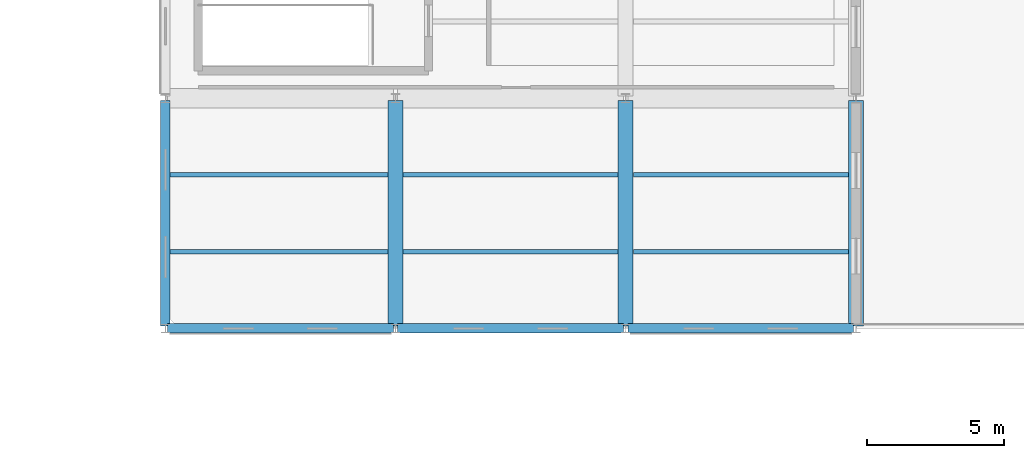
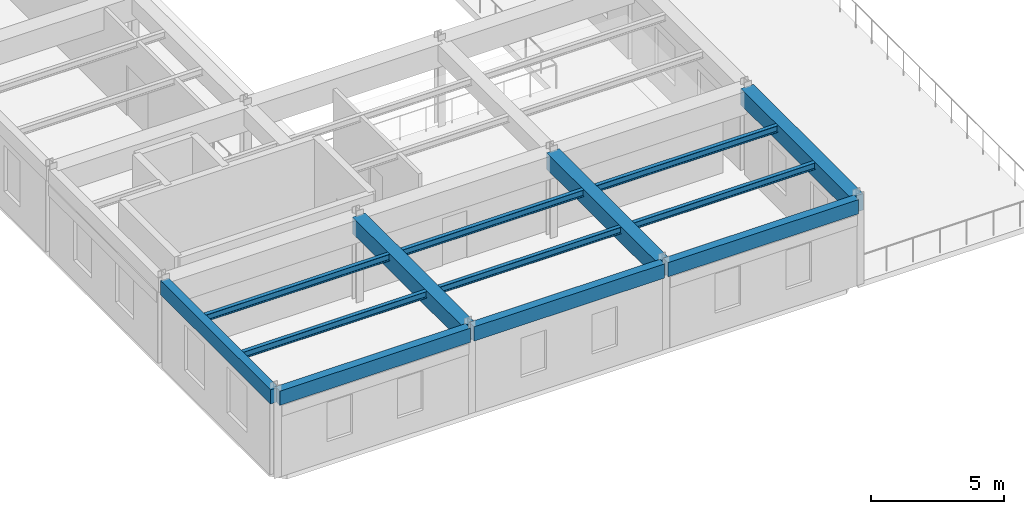
# One storey, part 72 of 114: 13 beams.
"""IFC4 building model written with IfcOpenShell, lengths in metres."""

from ifc_helpers import new_model, si_unit, direction, frame, origin, origin_2d, place, context, subcontext, project, spatial, rectangle, i_section, extrude, material, material_profile, profile_set, type_object, element, save


model = new_model("IFC4")

# Units and contexts
model_context = context("Model", 3, precision=1e-05, world=origin(), true_north=direction((0.0, 1.0)))
body_context = subcontext(model_context, "Body", "Model", "MODEL_VIEW")
ifc_project = project(units=[si_unit("LENGTHUNIT", "METRE"), si_unit("AREAUNIT", "SQUARE_METRE"), si_unit("VOLUMEUNIT", "CUBIC_METRE"), si_unit("PLANEANGLEUNIT", "RADIAN"), si_unit("MASSUNIT", "GRAM", prefix="KILO"), si_unit("THERMODYNAMICTEMPERATUREUNIT", "KELVIN"), si_unit("POWERUNIT", "WATT")], contexts=[model_context])

# Site, building, storey
site_placement = place(None, origin())
site = spatial("IfcSite", under=ifc_project, at=site_placement, CompositionType="ELEMENT")
building_placement = place(site_placement, origin())
building = spatial("IfcBuilding", under=site, at=building_placement, Name="Darbajah Civic Hall", CompositionType="ELEMENT")
storey_placement = place(building_placement, frame((0.0, 0.0, 13.800048828125)))
storey = spatial("IfcBuildingStorey", under=building, at=storey_placement, Name="L03", CompositionType="ELEMENT", Elevation=13.800048828125)

# Beams
ifc_material_1 = material(Name="Concrete C45/55", Category="concrete")
ifc_material_profile_1 = material_profile(ifc_material_1, rectangle(XDim=0.550048828125, YDim=0.75, at=origin_2d()), Name="RC BEAM 550x750")
ifc_profile_set_1 = profile_set([ifc_material_profile_1], Name="Concrete C45/55")
beam_type_1 = type_object("IfcBeamType", Name="RC BEAM 550x750", PredefinedType="BEAM", material=ifc_profile_set_1)
for number, where, z_axis, x_axis, name in (
    (1, (153.0, 56.47998046875, 3.554931640625), (0.0, 1.0, 0.0), (-1.0, 0.0, 0.0), "L03 beam BM-5575"),
    (2, (161.39990234375, 56.47998046875, 3.554931640625), (0.0, 1.0, 0.0), (-1.0, 0.0, 0.0), "L03 beam BM-5575"),
    (3, (169.800048828125, 56.47998046875, 3.554931640625), (0.0, 1.0, 0.0), (-1.0, 0.0, 0.0), "L03 beam BM-5575"),
):
    element("IfcBeam", number, at=place(storey_placement, frame(where, z_axis=z_axis, x_axis=x_axis)), inside=storey, type_object=beam_type_1, Name=name, PredefinedType="BEAM", context=body_context, shape_type="SweptSolid", body=[
        extrude(rectangle(XDim=0.550048828125, YDim=0.75, at=origin_2d()), origin(), (0.0, 0.0, 1.0), 8.239990234375),
    ])
ifc_material_profile_2 = material_profile(ifc_material_1, rectangle(XDim=0.35009765625, YDim=0.64990234375, at=origin_2d()), Name="RC SPANDREL 350x650")
ifc_profile_set_2 = profile_set([ifc_material_profile_2], Name="Concrete C45/55")
beam_type_2 = type_object("IfcBeamType", Name="RC SPANDREL 350x650", PredefinedType="SPANDREL", material=ifc_profile_set_2)
for number, where, z_axis, x_axis, name in (
    (4, (144.679931640625, 56.39990234375, 3.60498046875), (1.0, 0.0, 0.0), (0.0, 1.0, 0.0), "L03 beam SP-3565"),
    (5, (153.080078125, 56.39990234375, 3.60498046875), (1.0, 0.0, 0.0), (0.0, 1.0, 0.0), "L03 beam SP-3565"),
    (6, (161.47998046875, 56.39990234375, 3.60498046875), (1.0, 0.0, 0.0), (0.0, 1.0, 0.0), "L03 beam SP-3565"),
    (7, (144.60009765625, 56.47998046875, 3.60498046875), (0.0, 1.0, 0.0), (-1.0, 0.0, 0.0), "L03 beam SP-3565"),
):
    element("IfcBeam", number, at=place(storey_placement, frame(where, z_axis=z_axis, x_axis=x_axis)), inside=storey, type_object=beam_type_2, Name=name, PredefinedType="SPANDREL", context=body_context, shape_type="SweptSolid", body=[
        extrude(rectangle(XDim=0.35009765625, YDim=0.64990234375, at=origin_2d()), origin(), (0.0, 0.0, 1.0), 8.239990234375),
    ])
ifc_material_2 = material(Name="Steel S355JR", Category="steel")
ifc_material_profile_3 = material_profile(ifc_material_2, i_section(OverallWidth=0.165771484375, OverallDepth=0.306640625, WebThickness=0.006591796875, FlangeThickness=0.01171875, FilletRadius=0.0087890625, at=origin_2d()), Name="UB 305x165x46")
ifc_profile_set_3 = profile_set([ifc_material_profile_3], Name="Steel S355JR")
beam_type_3 = type_object("IfcBeamType", Name="UB 305x165x46", PredefinedType="JOIST", material=ifc_profile_set_3)
for number, where, z_axis, x_axis, name in (
    (8, (144.77490234375, 59.199951171875, 3.776611328125), (1.0, 0.0, 0.0), (0.0, 1.0, 0.0), "L03 beam SJ-305"),
    (9, (144.77490234375, 62.0, 3.776611328125), (1.0, 0.0, 0.0), (0.0, 1.0, 0.0), "L03 beam SJ-305"),
):
    element("IfcBeam", number, at=place(storey_placement, frame(where, z_axis=z_axis, x_axis=x_axis)), inside=storey, type_object=beam_type_3, Name=name, PredefinedType="JOIST", context=body_context, shape_type="SweptSolid", body=[
        extrude(i_section(OverallWidth=0.165771484375, OverallDepth=0.306640625, WebThickness=0.006591796875, FlangeThickness=0.01171875, FilletRadius=0.0087890625, at=origin_2d()), origin(), (0.0, 0.0, 1.0), 7.9501953125),
    ])
for number, where, z_axis, x_axis, name in (
    (10, (153.27490234375, 59.199951171875, 3.776611328125), (1.0, 0.0, 0.0), (0.0, 1.0, 0.0), "L03 beam SJ-305"),
    (11, (153.27490234375, 62.0, 3.776611328125), (1.0, 0.0, 0.0), (0.0, 1.0, 0.0), "L03 beam SJ-305"),
):
    element("IfcBeam", number, at=place(storey_placement, frame(where, z_axis=z_axis, x_axis=x_axis)), inside=storey, type_object=beam_type_3, Name=name, PredefinedType="JOIST", context=body_context, shape_type="SweptSolid", body=[
        extrude(i_section(OverallWidth=0.165771484375, OverallDepth=0.306640625, WebThickness=0.006591796875, FlangeThickness=0.01171875, FilletRadius=0.0087890625, at=origin_2d()), origin(), (0.0, 0.0, 1.0), 7.85009765625),
    ])
for number, where, z_axis, x_axis, name in (
    (12, (161.675048828125, 59.199951171875, 3.776611328125), (1.0, 0.0, 0.0), (0.0, 1.0, 0.0), "L03 beam SJ-305"),
    (13, (161.675048828125, 62.0, 3.776611328125), (1.0, 0.0, 0.0), (0.0, 1.0, 0.0), "L03 beam SJ-305"),
):
    element("IfcBeam", number, at=place(storey_placement, frame(where, z_axis=z_axis, x_axis=x_axis)), inside=storey, type_object=beam_type_3, Name=name, PredefinedType="JOIST", context=body_context, shape_type="SweptSolid", body=[
        extrude(i_section(OverallWidth=0.165771484375, OverallDepth=0.306640625, WebThickness=0.006591796875, FlangeThickness=0.01171875, FilletRadius=0.0087890625, at=origin_2d()), origin(), (0.0, 0.0, 1.0), 7.849853515625),
    ])

save(model, "model.ifc")
